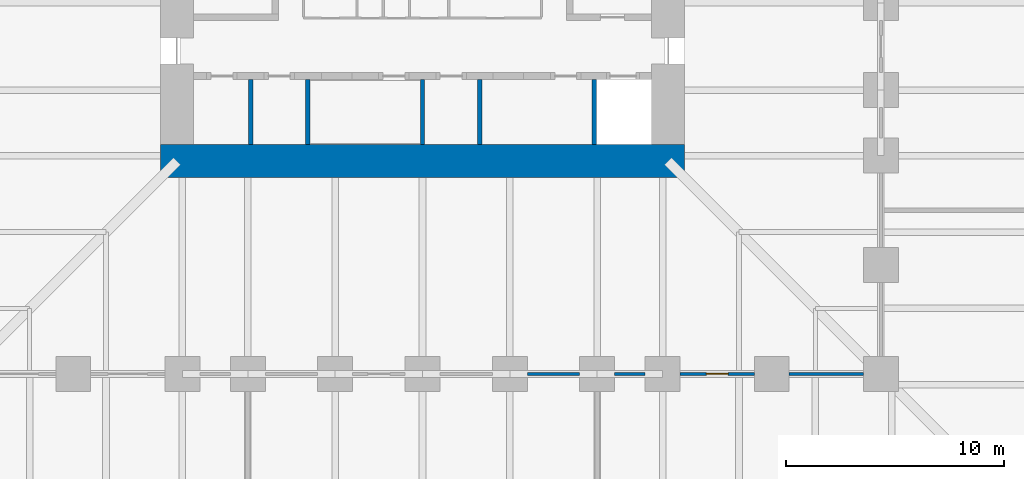
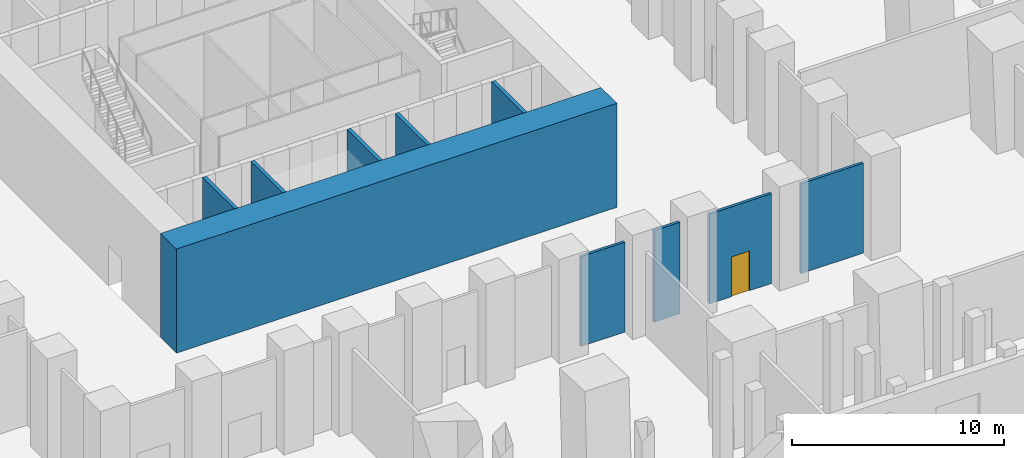
# One storey, part 12 of 20: 10 walls, 1 door, 1 opening.
"""IFC4 building model written with IfcOpenShell, lengths in metres."""

from ifc_helpers import new_model, si_unit, direction, frame, frame_2d, origin, place, context, subcontext, project, spatial, rectangle, extrude, material, layer, layer_set, type_object, element, fill, save


model = new_model("IFC4")

# Units and contexts
model_context = context("Model", 3, precision=1e-05, world=origin(), true_north=direction((0.0, 1.0)))
body_context = subcontext(model_context, "Body", "Model", "MODEL_VIEW")
ifc_project = project(units=[si_unit("LENGTHUNIT", "METRE"), si_unit("AREAUNIT", "SQUARE_METRE"), si_unit("VOLUMEUNIT", "CUBIC_METRE"), si_unit("PLANEANGLEUNIT", "RADIAN"), si_unit("MASSUNIT", "GRAM", prefix="KILO")], contexts=[model_context])

# Site, building, storey
site_placement = place(None, origin())
site = spatial("IfcSite", under=ifc_project, at=site_placement, CompositionType="ELEMENT")
building_placement = place(site_placement, origin())
building = spatial("IfcBuilding", under=site, at=building_placement, Name="Peilmerk Tower", CompositionType="ELEMENT")
storey_placement = place(building_placement, origin())
storey = spatial("IfcBuildingStorey", under=building, at=storey_placement, Name="L00", CompositionType="ELEMENT", Elevation=0.0)

# Wall
ifc_material_1 = material(Name="Calcium silicate block", Category="masonry")
ifc_layer_1 = layer(ifc_material_1, 0.14990234375)
ifc_layer_set_1 = layer_set([ifc_layer_1], Name="Calcium silicate block")
wall_type_1 = type_object("IfcWallType", Name="IW1 150 corridor partition, EI 60", PredefinedType="PARTITIONING", material=ifc_layer_set_1)
wall_1_placement = place(storey_placement, frame((20.199951171875, -21.0, 0.0), z_axis=(0.0, 0.0, 1.0), x_axis=(-1.0, 0.0, 0.0)))
element("IfcWall", 1, at=wall_1_placement, inside=storey, type_object=wall_type_1, Name="Corridor wall S L00", PredefinedType="PARTITIONING", context=body_context, shape_type="SweptSolid", body=[
    extrude(rectangle(XDim=3.39990234375, YDim=0.14990234375, at=frame_2d((1.699951171875, 0.0))), origin(), (0.0, 0.0, 1.0), 5.179931640625),
])

# Wall, opening, door
wall_2_placement = place(storey_placement, frame((15.199951171875, -21.0, 0.0), z_axis=(0.0, 0.0, 1.0), x_axis=(-1.0, 0.0, 0.0)))
wall_2 = element("IfcWall", 2, at=wall_2_placement, inside=storey, type_object=wall_type_1, Name="Corridor wall Sb L00", PredefinedType="PARTITIONING", context=body_context, shape_type="SweptSolid", body=[
    extrude(rectangle(XDim=3.39990234375, YDim=0.14990234375, at=frame_2d((1.699951171875, 0.0))), origin(), (0.0, 0.0, 1.0), 5.179931640625),
])
opening_placement = place(wall_2_placement, frame((1.199951171875, 0.0, 0.0)))
opening = element("IfcOpeningElement", 3, at=opening_placement, cuts=wall_2, Name="Opening D1", PredefinedType="OPENING", context=body_context, shape_type="SweptSolid", body=[
    extrude(rectangle(XDim=1.0, YDim=2.300048828125, at=frame_2d((0.5, 1.14990234375))), frame((0.0, 0.0849609375, 0.0), z_axis=(0.0, -1.0, 0.0), x_axis=(1.0, 0.0, 0.0)), (0.0, 0.0, 1.0), 0.169921875),
])
ifc_material_2 = material(Name="Timber door in steel frame", Category="steel")
door_type = type_object("IfcDoorType", Name="D1 1000x2300 room door, EI2 30", OperationType="SINGLE_SWING_LEFT", PredefinedType="DOOR", material=ifc_material_2)
door_placement = place(opening_placement, origin())
door = element("IfcDoor", 4, at=door_placement, inside=storey, type_object=door_type, Name="Door Staff entrance hall L00", OperationType="SINGLE_SWING_LEFT", OverallHeight=2.300048828125, OverallWidth=1.0, PredefinedType="DOOR", context=body_context, shape_type="SweptSolid", body=[
    extrude(rectangle(XDim=1.0, YDim=2.300048828125, at=frame_2d((0.5, 1.14990234375))), frame((0.0, 0.02490234375, 0.0), z_axis=(0.0, -1.0, 0.0), x_axis=(1.0, 0.0, 0.0)), (0.0, 0.0, 1.0), 0.050048828125),
])
fill(opening, door)

# Walls
wall_3_placement = place(storey_placement, frame((10.199951171875, -21.0, 0.0), z_axis=(0.0, 0.0, 1.0), x_axis=(-1.0, 0.0, 0.0)))
element("IfcWall", 5, at=wall_3_placement, inside=storey, type_object=wall_type_1, Name="Corridor wall Sc L00", PredefinedType="PARTITIONING", context=body_context, shape_type="SweptSolid", body=[
    extrude(rectangle(XDim=1.39990234375, YDim=0.14990234375, at=frame_2d((0.699951171875, 0.0))), origin(), (0.0, 0.0, 1.0), 5.27587890625),
])
wall_4_placement = place(storey_placement, frame((7.199951171875, -21.0, 0.0), z_axis=(0.0, 0.0, 1.0), x_axis=(-1.0, 0.0, 0.0)))
element("IfcWall", 6, at=wall_4_placement, inside=storey, type_object=wall_type_1, Name="Corridor wall Sd L00", PredefinedType="PARTITIONING", context=body_context, shape_type="SweptSolid", body=[
    extrude(rectangle(XDim=2.39990234375, YDim=0.14990234375, at=frame_2d((1.199951171875, 0.0))), origin(), (0.0, 0.0, 1.0), 5.179931640625),
])
ifc_layer_2 = layer(ifc_material_1, 0.199951171875)
ifc_layer_set_2 = layer_set([ifc_layer_2], Name="Calcium silicate block")
wall_type_2 = type_object("IfcWallType", Name="SH1 200 shaft dividing wall, EI 120", PredefinedType="PARTITIONING", material=ifc_layer_set_2)
for number, where, z_axis, x_axis, name in (
    (7, (-7.875, -10.5, 0.0), (0.0, 0.0, 1.0), (0.0, 1.0, 0.0), "Shaft wall S C4 L00"),
    (8, (-5.25, -10.5, 0.0), (0.0, 0.0, 1.0), (0.0, 1.0, 0.0), "Shaft wall S C3 L00"),
    (9, (0.0, -10.5, 0.0), (0.0, 0.0, 1.0), (0.0, 1.0, 0.0), "Shaft wall S C1 L00"),
    (10, (2.625, -10.5, 0.0), (0.0, 0.0, 1.0), (0.0, 1.0, 0.0), "Shaft wall S B3 L00"),
    (11, (7.875, -10.5, 0.0), (0.0, 0.0, 1.0), (0.0, 1.0, 0.0), "Shaft wall S B1 L00"),
):
    element("IfcWall", number, at=place(storey_placement, frame(where, z_axis=z_axis, x_axis=x_axis)), inside=storey, type_object=wall_type_2, Name=name, PredefinedType="PARTITIONING", context=body_context, shape_type="SweptSolid", body=[
        extrude(rectangle(XDim=3.0, YDim=0.199951171875, at=frame_2d((1.5, 0.0))), origin(), (0.0, 0.0, 1.0), 6.0),
    ])
ifc_material_3 = material(Name="Concrete C55/67", Category="concrete")
ifc_layer_3 = layer(ifc_material_3, 1.5)
ifc_layer_set_3 = layer_set([ifc_layer_3], Name="Concrete C55/67")
wall_type_3 = type_object("IfcWallType", Name="SW1 1500 core wall", PredefinedType="SHEAR", material=ifc_layer_set_3)
wall_5_placement = place(storey_placement, frame((12.0, -11.25, 0.0), z_axis=(0.0, 0.0, 1.0), x_axis=(-1.0, 0.0, 0.0)))
element("IfcWall", 12, at=wall_5_placement, inside=storey, type_object=wall_type_3, Name="Core wall S L00", PredefinedType="SHEAR", context=body_context, shape_type="SweptSolid", body=[
    extrude(rectangle(XDim=24.0, YDim=1.5, at=frame_2d((12.0, 0.0))), origin(), (0.0, 0.0, 1.0), 6.0),
])

save(model, "model.ifc")
